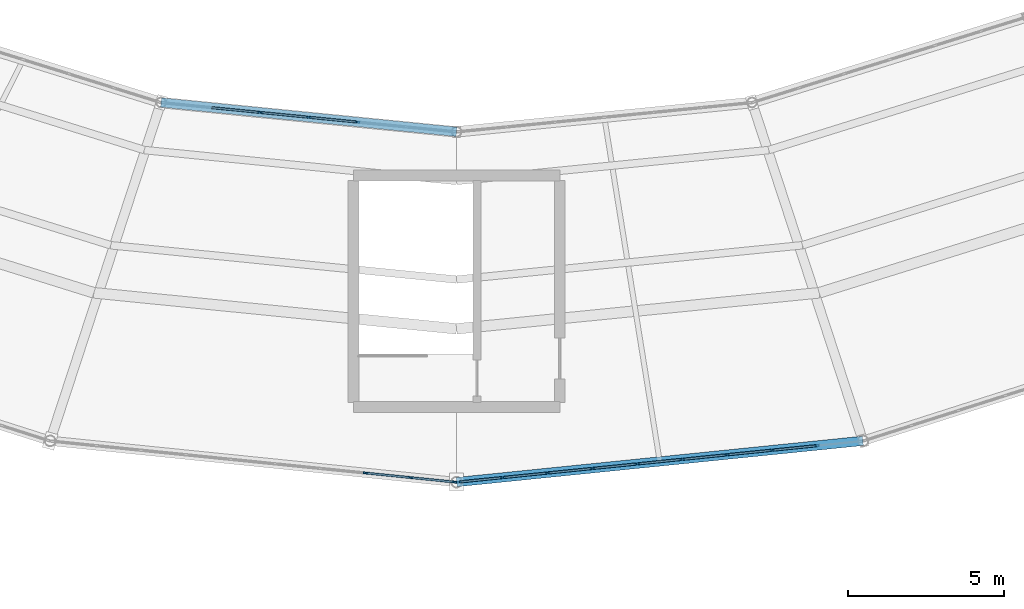
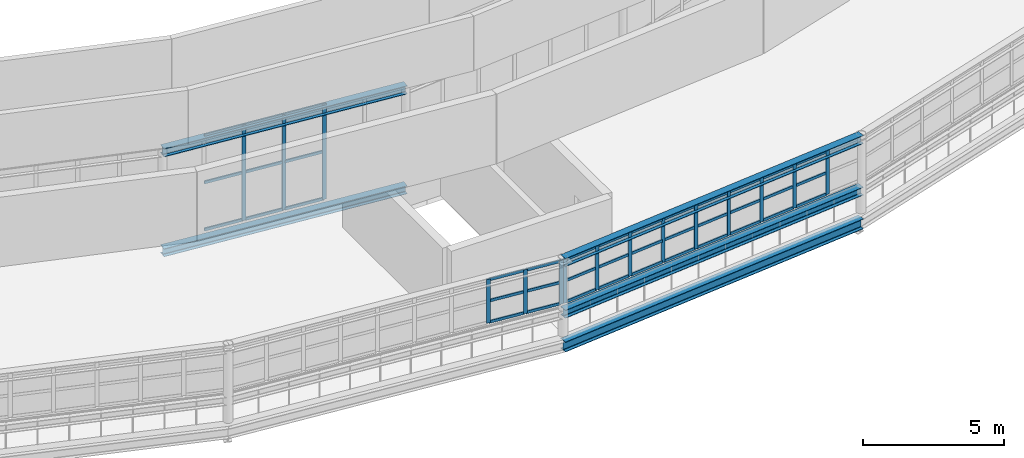
# One storey, part 35 of 123: 54 members, 5 beams, 3 elements without a shape of their own.
"""IFC4 building model written with IfcOpenShell, lengths in metres."""

import ifcopenshell
import ifcopenshell.guid

model = None  # the IFC model being written
_history = None  # IfcOwnerHistory: only IFC2X3 demands one
_inside = {}  # id of a spatial element -> (the spatial element, [elements in it])
_under = {}  # id of a project, library or spatial element -> (it, [spatial elements below it])
_declared = {}  # id of a project -> (the project, [libraries it declares])
_typed = {}  # id of a type object -> (the type object, [elements of that type])
_made_of = {}  # id of a material, layer set ... -> (it, [elements and type objects made of it])


def new_model(schema):
    """Start an empty IFC model of exactly this schema.

    Asked for "IFC4X3", IfcOpenShell would pick the latest addendum, in which some entities
    have other attributes; the version numbers below select the first issue.
    IFC2X3 requires an IfcOwnerHistory on every rooted entity: one is made here for all.
    """
    global model, _history
    if schema == "IFC4X3":
        model = ifcopenshell.file(schema_version=(4, 3, 0, 0))
    else:
        model = ifcopenshell.file(schema=schema)
    _inside.clear()
    _under.clear()
    _declared.clear()
    _typed.clear()
    _made_of.clear()
    _history = None
    if model.schema == "IFC2X3":
        org = make("IfcOrganization", Name="unknown")
        user = make(
            "IfcPersonAndOrganization",
            ThePerson=make("IfcPerson", FamilyName="unknown"),
            TheOrganization=org,
        )
        app = make(
            "IfcApplication",
            ApplicationDeveloper=org,
            Version="unknown",
            ApplicationFullName="unknown",
            ApplicationIdentifier="unknown",
        )
        _history = make(
            "IfcOwnerHistory",
            OwningUser=user,
            OwningApplication=app,
            ChangeAction="ADDED",
            CreationDate=0,
        )
    return model


def make(cls, **values):
    """One entity of the class cls with the attributes given. An attribute that is None is left unset."""
    return model.create_entity(
        cls, **{name: value for name, value in values.items() if value is not None}
    )


def rooted(cls, **values):
    """An entity with a GlobalId (a new one), such as an element, a storey or a relation."""
    return make(cls, GlobalId=ifcopenshell.guid.new(), OwnerHistory=_history, **values)


def si_unit(unit_type, name, prefix=None):
    """IfcSIUnit, for example si_unit("LENGTHUNIT", "METRE", prefix="MILLI")."""
    return make("IfcSIUnit", UnitType=unit_type, Prefix=prefix, Name=name)


def assignment(units):
    """IfcUnitAssignment: the units of a project."""
    return None if units is None else make("IfcUnitAssignment", Units=units)


def point(xyz):
    """IfcCartesianPoint."""
    return None if xyz is None else make("IfcCartesianPoint", Coordinates=xyz)


def direction(xyz):
    """IfcDirection."""
    return None if xyz is None else make("IfcDirection", DirectionRatios=xyz)


def frame(location, z_axis=None, x_axis=None):
    """IfcAxis2Placement3D, a coordinate frame: its origin and axes. An axis left out is left unset."""
    return make(
        "IfcAxis2Placement3D",
        Location=point(location),
        Axis=direction(z_axis),
        RefDirection=direction(x_axis),
    )


def frame_2d(location, x_axis=None):
    """IfcAxis2Placement2D, a coordinate frame in the plane: its origin and x axis."""
    return make(
        "IfcAxis2Placement2D", Location=point(location), RefDirection=direction(x_axis)
    )


def origin():
    """The frame at (0, 0, 0) with its axes left unset."""
    return frame((0.0, 0.0, 0.0))


def origin_2d():
    """The frame at (0, 0) in the plane with its x axis left unset."""
    return frame_2d((0.0, 0.0))


def place(relative_to, where):
    """IfcLocalPlacement: puts the frame where relative to a parent placement (None: the world)."""
    return make(
        "IfcLocalPlacement", PlacementRelTo=relative_to, RelativePlacement=where
    )


def context(
    kind, dimensions, precision=None, world=None, true_north=None, identifier=None
):
    """IfcGeometricRepresentationContext, for example the 3D "Model" context."""
    return make(
        "IfcGeometricRepresentationContext",
        ContextIdentifier=identifier,
        ContextType=kind,
        CoordinateSpaceDimension=dimensions,
        Precision=precision,
        WorldCoordinateSystem=world,
        TrueNorth=true_north,
    )


def subcontext(parent, identifier, kind, view, scale=None):
    """IfcGeometricRepresentationSubContext, for example "Body" below "Model"."""
    return make(
        "IfcGeometricRepresentationSubContext",
        ContextIdentifier=identifier,
        ContextType=kind,
        ParentContext=parent,
        TargetScale=scale,
        TargetView=view,
    )


def project(units=None, contexts=None):
    """IfcProject with its units and contexts."""
    return rooted(
        "IfcProject",
        Name="project",
        RepresentationContexts=contexts,
        UnitsInContext=assignment(units),
    )


def spatial(cls, under=None, at=None, **own):
    """A site, building, storey or space (cls), placed at a placement, below another one or the project."""
    s = rooted(cls, ObjectPlacement=at, **own)
    if under is not None:
        _under.setdefault(under.id(), (under, []))[1].append(s)
    return s


def profile(cls, at=None, kind="AREA", **sizes):
    """A parametric profile (cls). Its sizes go by their IFC names, for example OverallWidth=200.0."""
    return make(cls, ProfileType=kind, Position=at, **sizes)


def rectangle(**sizes):
    """IfcRectangleProfileDef."""
    return profile("IfcRectangleProfileDef", **sizes)


def i_section(**sizes):
    """IfcIShapeProfileDef."""
    return profile("IfcIShapeProfileDef", **sizes)


def extrude(swept, where, along, depth):
    """IfcExtrudedAreaSolid: the profile swept, set in the frame where, extruded along a direction by depth."""
    return make(
        "IfcExtrudedAreaSolid",
        SweptArea=swept,
        Position=where,
        ExtrudedDirection=direction(along),
        Depth=depth,
    )


def shape(context_of_items, identifier, shape_type, items):
    """IfcShapeRepresentation: the items that make up one representation, for example the "Body"."""
    return make(
        "IfcShapeRepresentation",
        ContextOfItems=context_of_items,
        RepresentationIdentifier=identifier,
        RepresentationType=shape_type,
        Items=items,
    )


def material(Name=None, Category=None):
    """IfcMaterial."""
    return make("IfcMaterial", Name=Name, Category=Category)


def material_profile(
    of_material, cross_section, Name=None, Category=None, Priority=None
):
    """IfcMaterialProfile: a cross section and its material."""
    return make(
        "IfcMaterialProfile",
        Name=Name,
        Material=of_material,
        Profile=cross_section,
        Priority=Priority,
        Category=Category,
    )


def profile_set(profiles, Name=None, composite=None):
    """IfcMaterialProfileSet."""
    return make(
        "IfcMaterialProfileSet",
        Name=Name,
        MaterialProfiles=profiles,
        CompositeProfile=composite,
    )


def made_of(thing, what):
    """Note that an element or type object is made of a material, layer set ...; save() writes the relation."""
    if what is not None:
        _made_of.setdefault(what.id(), (what, []))[1].append(thing)
    return thing


def type_object(cls, material=None, **own):
    """A type object (cls), such as IfcWallType, which elements share."""
    return made_of(rooted(cls, **own), material)


def element(
    cls,
    number,
    at=None,
    inside=None,
    cuts=None,
    type_object=None,
    material=None,
    context=None,
    identifier="Body",
    shape_type=None,
    held_by="IfcProductDefinitionShape",
    body=None,
    shapes=None,
    **own,
):
    """One element of the class cls, such as IfcWall. Its Tag is "e" and its number.

    at: its placement. inside: the storey or other place that contains it. cuts: it is an
    opening in that element (IfcRelVoidsElement). A single representation is given by context,
    identifier, shape_type and body (its items); several are given by shapes. held_by: the class
    of the entity that holds the representations. save() writes the other relations.
    """
    e = rooted(cls, Tag="e%d" % number, ObjectPlacement=at, **own)
    if body is not None:
        shapes = [shape(context, identifier, shape_type, body)]
    if shapes is not None:
        e.Representation = make(held_by, Representations=shapes)
    if inside is not None:
        _inside.setdefault(inside.id(), (inside, []))[1].append(e)
    if cuts is not None:
        rooted(
            "IfcRelVoidsElement", RelatingBuildingElement=cuts, RelatedOpeningElement=e
        )
    if type_object is not None:
        _typed.setdefault(type_object.id(), (type_object, []))[1].append(e)
    return made_of(e, material)


def aggregate(whole, parts):
    """IfcRelAggregates: a whole, such as a stair, and the parts it consists of."""
    return rooted("IfcRelAggregates", RelatingObject=whole, RelatedObjects=parts)


def save(model, path):
    """Write the relations noted so far, then the file.

    IfcRelAggregates (storeys below a building ...), IfcRelContainedInSpatialStructure (elements
    in a storey), IfcRelDefinesByType, IfcRelAssociatesMaterial and IfcRelDeclares: one each for
    every whole, place, type object, material and project.
    """
    for whole, parts in _under.values():
        aggregate(whole, parts)
    for where, things in _inside.values():
        rooted(
            "IfcRelContainedInSpatialStructure",
            RelatedElements=things,
            RelatingStructure=where,
        )
    for kind, things in _typed.values():
        rooted("IfcRelDefinesByType", RelatedObjects=things, RelatingType=kind)
    for what, things in _made_of.values():
        rooted("IfcRelAssociatesMaterial", RelatedObjects=things, RelatingMaterial=what)
    for by, libraries in _declared.values():
        rooted("IfcRelDeclares", RelatingContext=by, RelatedDefinitions=libraries)
    model.write(path)


model = new_model("IFC4")

# Units and contexts
model_context = context("Model", 3, precision=1e-05, world=origin(), true_north=direction((0.0, 1.0)))
body_context = subcontext(model_context, "Body", "Model", "MODEL_VIEW")
ifc_project = project(units=[si_unit("LENGTHUNIT", "METRE"), si_unit("AREAUNIT", "SQUARE_METRE"), si_unit("VOLUMEUNIT", "CUBIC_METRE"), si_unit("PLANEANGLEUNIT", "RADIAN"), si_unit("MASSUNIT", "GRAM", prefix="KILO")], contexts=[model_context])

# Site, building, storey
site_placement = place(None, origin())
site = spatial("IfcSite", under=ifc_project, at=site_placement, CompositionType="ELEMENT")
building_placement = place(site_placement, origin())
building = spatial("IfcBuilding", under=site, at=building_placement, Name="Kildeholm Park Wholesale Market", CompositionType="ELEMENT")
storey_placement = place(building_placement, frame((0.0, 0.0, 9.60009765625)))
storey = spatial("IfcBuildingStorey", under=building, at=storey_placement, Name="L02", CompositionType="ELEMENT", Elevation=9.60009765625)

# Beams
ifc_material_1 = material(Name="Steel S355", Category="steel")
ifc_material_profile_1 = material_profile(ifc_material_1, i_section(OverallWidth=0.300048828125, OverallDepth=0.35009765625, WebThickness=0.010009765625, FlangeThickness=0.017578125, FilletRadius=0.027099609375, at=origin_2d()), Name="HEA 360")
ifc_profile_set_1 = profile_set([ifc_material_profile_1], Name="Steel S355")
beam_type_1 = type_object("IfcBeamType", Name="Beam B-R01 HEA 360", PredefinedType="BEAM", material=ifc_profile_set_1)
beam_1_placement = place(storey_placement, frame((89.552978515625, 62.93701171875, -0.42919921875), z_axis=(0.995117073258, -0.098701623651, 0.0), x_axis=(0.098701623651, 0.995117073258, 0.0)))
element("IfcBeam", 1, at=beam_1_placement, inside=storey, type_object=beam_type_1, Name="Beam BM-V1-L02-CI-17 BM-0161", PredefinedType="BEAM", context=body_context, shape_type="SweptSolid", body=[
    extrude(i_section(OverallWidth=0.300048828125, OverallDepth=0.35009765625, WebThickness=0.010009765625, FlangeThickness=0.017578125, FilletRadius=0.027099609375, at=origin_2d()), origin(), (0.0, 0.0, 1.0), 9.493408203125),
])
beam_2_placement = place(storey_placement, frame((99.0, 50.800048828125, 0.94775390625), z_axis=(0.994887827563, 0.100986189979, 0.0), x_axis=(-0.100986189979, 0.994887827563, 0.0)))
element("IfcBeam", 2, at=beam_2_placement, inside=storey, type_object=beam_type_1, Name="Beam BM-V1-S1IN-18 BM-0329", PredefinedType="BEAM", context=body_context, shape_type="SweptSolid", body=[
    extrude(i_section(OverallWidth=0.300048828125, OverallDepth=0.35009765625, WebThickness=0.010009765625, FlangeThickness=0.017578125, FilletRadius=0.027099609375, at=origin_2d()), origin(), (0.0, 0.0, 1.0), 13.0595703125),
])
ifc_material_profile_2 = material_profile(ifc_material_1, i_section(OverallWidth=0.300048828125, OverallDepth=0.43994140625, WebThickness=0.011474609375, FlangeThickness=0.02099609375, FilletRadius=0.027099609375, at=origin_2d()), Name="HEA 450")
ifc_profile_set_2 = profile_set([ifc_material_profile_2], Name="Steel S355")
beam_type_2 = type_object("IfcBeamType", Name="Beam B-R02 HEA 450", PredefinedType="BEAM", material=ifc_profile_set_2)
beam_3_placement = place(storey_placement, frame((99.0, 50.800048828125, -0.47412109375), z_axis=(0.994887827563, 0.100986189979, 0.0), x_axis=(-0.100986189979, 0.994887827563, 0.0)))
element("IfcBeam", 3, at=beam_3_placement, inside=storey, type_object=beam_type_2, Name="Beam BM-V1-L02-CM-18 BM-0169", PredefinedType="BEAM", context=body_context, shape_type="SweptSolid", body=[
    extrude(i_section(OverallWidth=0.300048828125, OverallDepth=0.43994140625, WebThickness=0.011474609375, FlangeThickness=0.02099609375, FilletRadius=0.027099609375, at=origin_2d()), origin(), (0.0, 0.0, 1.0), 13.0595703125),
])
ifc_material_profile_3 = material_profile(ifc_material_1, i_section(OverallWidth=0.300048828125, OverallDepth=0.360107421875, WebThickness=0.012451171875, FlangeThickness=0.0224609375, FilletRadius=0.027099609375, at=origin_2d()), Name="HEB 360")
ifc_profile_set_3 = profile_set([ifc_material_profile_3], Name="Steel S355")
beam_type_3 = type_object("IfcBeamType", Name="Beam B-R03 HEB 360", PredefinedType="BEAM", material=ifc_profile_set_3)
beam_4_placement = place(storey_placement, frame((89.552978515625, 62.93701171875, 3.909423828125), z_axis=(0.995117073258, -0.098701623651, 0.0), x_axis=(0.098701623651, 0.995117073258, 0.0)))
element("IfcBeam", 4, at=beam_4_placement, inside=storey, type_object=beam_type_3, Name="Beam BM-V1-RF-IN-17 BM-0325", PredefinedType="BEAM", context=body_context, shape_type="SweptSolid", body=[
    extrude(i_section(OverallWidth=0.300048828125, OverallDepth=0.360107421875, WebThickness=0.012451171875, FlangeThickness=0.0224609375, FilletRadius=0.027099609375, at=origin_2d()), origin(), (0.0, 0.0, 1.0), 9.493408203125),
])
beam_5_placement = place(storey_placement, frame((99.0, 50.800048828125, 3.189697265625), z_axis=(0.994887827563, 0.100986189979, 0.0), x_axis=(-0.100986189979, 0.994887827563, 0.0)))
element("IfcBeam", 5, at=beam_5_placement, inside=storey, type_object=beam_type_3, Name="Beam BM-V1-RF-M1-18 BM-0330", PredefinedType="BEAM", context=body_context, shape_type="SweptSolid", body=[
    extrude(i_section(OverallWidth=0.300048828125, OverallDepth=0.360107421875, WebThickness=0.012451171875, FlangeThickness=0.0224609375, FilletRadius=0.027099609375, at=origin_2d()), origin(), (0.0, 0.0, 1.0), 13.0595703125),
])

# Curtain wall, members
ifc_material_2 = material(Name="Anodised aluminium and low-E double-glazed glass", Category="aluminium")
curtain_wall_type = type_object("IfcCurtainWallType", Name="Clerestory daylight stick curtain wall CW-02", PredefinedType="NOTDEFINED", material=ifc_material_2)
curtain_wall_1_placement = place(storey_placement, origin())
curtain_wall_1 = element("IfcCurtainWall", 6, at=curtain_wall_1_placement, inside=storey, type_object=curtain_wall_type, Name="Curtain wall CW-V1-CL-17 CW-0085", PredefinedType="NOTDEFINED")
ifc_material_3 = material(Name="Anodised aluminium", Category="aluminium")
ifc_material_profile_4 = material_profile(ifc_material_3, rectangle(XDim=0.06005859375, YDim=0.14990234375, at=origin_2d()), Name="CWM 60x150")
ifc_profile_set_4 = profile_set([ifc_material_profile_4], Name="Anodised aluminium")
member_type_1 = type_object("IfcMemberType", Name="Curtain-wall mullion CWM-3 CWM 60x150", PredefinedType="MULLION", material=ifc_profile_set_4)
member_1_placement = place(storey_placement, frame((96.09033203125, 51.09130859375, 1.349853515625), z_axis=(0.0, 0.0, 1.0), x_axis=(0.100998628351, 0.994886564926, 0.0)))
member_1 = element("IfcMember", 7, at=member_1_placement, type_object=member_type_1, Name="CW-02 mullion 8 MEM-2717", PredefinedType="MULLION", context=body_context, shape_type="SweptSolid", body=[
    extrude(rectangle(XDim=0.06005859375, YDim=0.14990234375, at=origin_2d()), origin(), (0.0, 0.0, 1.0), 1.900146484375),
])
member_2_placement = place(storey_placement, frame((97.525146484375, 50.945556640625, 1.349853515625), z_axis=(0.0, 0.0, 1.0), x_axis=(0.100998628351, 0.994886564926, 0.0)))
member_2 = element("IfcMember", 8, at=member_2_placement, type_object=member_type_1, Name="CW-02 mullion 9 MEM-2718", PredefinedType="MULLION", context=body_context, shape_type="SweptSolid", body=[
    extrude(rectangle(XDim=0.06005859375, YDim=0.14990234375, at=origin_2d()), origin(), (0.0, 0.0, 1.0), 1.900146484375),
])
member_3_placement = place(storey_placement, frame((98.93017578125, 50.802978515625, 1.349853515625), z_axis=(0.0, 0.0, 1.0), x_axis=(0.100998628351, 0.994886564926, 0.0)))
member_3 = element("IfcMember", 9, at=member_3_placement, type_object=member_type_1, Name="CW-02 mullion 10 MEM-2719", PredefinedType="MULLION", context=body_context, shape_type="SweptSolid", body=[
    extrude(rectangle(XDim=0.06005859375, YDim=0.14990234375, at=origin_2d()), origin(), (0.0, 0.0, 1.0), 1.900146484375),
])

curtain_wall_2_placement = place(storey_placement, origin())
curtain_wall_2 = element("IfcCurtainWall", 10, at=curtain_wall_2_placement, inside=storey, type_object=curtain_wall_type, Name="Curtain wall CW-V1-IN2-17 CW-0088", PredefinedType="NOTDEFINED")
member_4_placement = place(storey_placement, frame((92.714599609375, 62.619384765625, 0.0), z_axis=(0.0, 0.0, 1.0), x_axis=(0.098683331174, 0.995118887444, 0.0)))
member_4 = element("IfcMember", 11, at=member_4_placement, type_object=member_type_1, Name="CW-02 mullion 3 MEM-2799", PredefinedType="MULLION", context=body_context, shape_type="SweptSolid", body=[
    extrude(rectangle(XDim=0.06005859375, YDim=0.14990234375, at=origin_2d()), origin(), (0.0, 0.0, 1.0), 4.14990234375),
])
member_5_placement = place(storey_placement, frame((94.27587890625, 62.464599609375, 0.0), z_axis=(0.0, 0.0, 1.0), x_axis=(0.098683331174, 0.995118887444, 0.0)))
member_5 = element("IfcMember", 12, at=member_5_placement, type_object=member_type_1, Name="CW-02 mullion 4 MEM-2800", PredefinedType="MULLION", context=body_context, shape_type="SweptSolid", body=[
    extrude(rectangle(XDim=0.06005859375, YDim=0.14990234375, at=origin_2d()), origin(), (0.0, 0.0, 1.0), 4.14990234375),
])
member_6_placement = place(storey_placement, frame((95.83740234375, 62.3095703125, 0.0), z_axis=(0.0, 0.0, 1.0), x_axis=(0.098683331174, 0.995118887444, 0.0)))
member_6 = element("IfcMember", 13, at=member_6_placement, type_object=member_type_1, Name="CW-02 mullion 5 MEM-2801", PredefinedType="MULLION", context=body_context, shape_type="SweptSolid", body=[
    extrude(rectangle(XDim=0.06005859375, YDim=0.14990234375, at=origin_2d()), origin(), (0.0, 0.0, 1.0), 4.14990234375),
])

curtain_wall_3_placement = place(storey_placement, origin())
curtain_wall_3 = element("IfcCurtainWall", 14, at=curtain_wall_3_placement, inside=storey, type_object=curtain_wall_type, Name="Curtain wall CW-V1-CL-18 CW-0090", PredefinedType="NOTDEFINED")
member_7_placement = place(storey_placement, frame((99.06982421875, 50.802978515625, 1.349853515625), z_axis=(0.0, 0.0, 1.0), x_axis=(-0.100998628351, 0.994886564926, 0.0)))
member_7 = element("IfcMember", 15, at=member_7_placement, type_object=member_type_1, Name="CW-02 mullion 1 MEM-2863", PredefinedType="MULLION", context=body_context, shape_type="SweptSolid", body=[
    extrude(rectangle(XDim=0.06005859375, YDim=0.14990234375, at=origin_2d()), origin(), (0.0, 0.0, 1.0), 1.900146484375),
])
member_8_placement = place(storey_placement, frame((100.474853515625, 50.945556640625, 1.349853515625), z_axis=(0.0, 0.0, 1.0), x_axis=(-0.100998628351, 0.994886564926, 0.0)))
member_8 = element("IfcMember", 16, at=member_8_placement, type_object=member_type_1, Name="CW-02 mullion 2 MEM-2864", PredefinedType="MULLION", context=body_context, shape_type="SweptSolid", body=[
    extrude(rectangle(XDim=0.06005859375, YDim=0.14990234375, at=origin_2d()), origin(), (0.0, 0.0, 1.0), 1.900146484375),
])
member_9_placement = place(storey_placement, frame((101.90966796875, 51.09130859375, 1.349853515625), z_axis=(0.0, 0.0, 1.0), x_axis=(-0.100998628351, 0.994886564926, 0.0)))
member_9 = element("IfcMember", 17, at=member_9_placement, type_object=member_type_1, Name="CW-02 mullion 3 MEM-2865", PredefinedType="MULLION", context=body_context, shape_type="SweptSolid", body=[
    extrude(rectangle(XDim=0.06005859375, YDim=0.14990234375, at=origin_2d()), origin(), (0.0, 0.0, 1.0), 1.900146484375),
])
member_10_placement = place(storey_placement, frame((103.3447265625, 51.237060546875, 1.349853515625), z_axis=(0.0, 0.0, 1.0), x_axis=(-0.100998628351, 0.994886564926, 0.0)))
member_10 = element("IfcMember", 18, at=member_10_placement, type_object=member_type_1, Name="CW-02 mullion 4 MEM-2866", PredefinedType="MULLION", context=body_context, shape_type="SweptSolid", body=[
    extrude(rectangle(XDim=0.06005859375, YDim=0.14990234375, at=origin_2d()), origin(), (0.0, 0.0, 1.0), 1.900146484375),
])
member_11_placement = place(storey_placement, frame((104.779541015625, 51.382568359375, 1.349853515625), z_axis=(0.0, 0.0, 1.0), x_axis=(-0.100998628351, 0.994886564926, 0.0)))
member_11 = element("IfcMember", 19, at=member_11_placement, type_object=member_type_1, Name="CW-02 mullion 5 MEM-2867", PredefinedType="MULLION", context=body_context, shape_type="SweptSolid", body=[
    extrude(rectangle(XDim=0.06005859375, YDim=0.14990234375, at=origin_2d()), origin(), (0.0, 0.0, 1.0), 1.900146484375),
])
member_12_placement = place(storey_placement, frame((106.21435546875, 51.5283203125, 1.349853515625), z_axis=(0.0, 0.0, 1.0), x_axis=(-0.100998628351, 0.994886564926, 0.0)))
member_12 = element("IfcMember", 20, at=member_12_placement, type_object=member_type_1, Name="CW-02 mullion 6 MEM-2868", PredefinedType="MULLION", context=body_context, shape_type="SweptSolid", body=[
    extrude(rectangle(XDim=0.06005859375, YDim=0.14990234375, at=origin_2d()), origin(), (0.0, 0.0, 1.0), 1.900146484375),
])
member_13_placement = place(storey_placement, frame((107.6494140625, 51.674072265625, 1.349853515625), z_axis=(0.0, 0.0, 1.0), x_axis=(-0.100998628351, 0.994886564926, 0.0)))
member_13 = element("IfcMember", 21, at=member_13_placement, type_object=member_type_1, Name="CW-02 mullion 7 MEM-2869", PredefinedType="MULLION", context=body_context, shape_type="SweptSolid", body=[
    extrude(rectangle(XDim=0.06005859375, YDim=0.14990234375, at=origin_2d()), origin(), (0.0, 0.0, 1.0), 1.900146484375),
])
member_14_placement = place(storey_placement, frame((109.084228515625, 51.819580078125, 1.349853515625), z_axis=(0.0, 0.0, 1.0), x_axis=(-0.100998628351, 0.994886564926, 0.0)))
member_14 = element("IfcMember", 22, at=member_14_placement, type_object=member_type_1, Name="CW-02 mullion 8 MEM-2870", PredefinedType="MULLION", context=body_context, shape_type="SweptSolid", body=[
    extrude(rectangle(XDim=0.06005859375, YDim=0.14990234375, at=origin_2d()), origin(), (0.0, 0.0, 1.0), 1.900146484375),
])
member_15_placement = place(storey_placement, frame((110.51904296875, 51.96533203125, 1.349853515625), z_axis=(0.0, 0.0, 1.0), x_axis=(-0.100998628351, 0.994886564926, 0.0)))
member_15 = element("IfcMember", 23, at=member_15_placement, type_object=member_type_1, Name="CW-02 mullion 9 MEM-2871", PredefinedType="MULLION", context=body_context, shape_type="SweptSolid", body=[
    extrude(rectangle(XDim=0.06005859375, YDim=0.14990234375, at=origin_2d()), origin(), (0.0, 0.0, 1.0), 1.900146484375),
])

# Member
ifc_material_profile_5 = material_profile(ifc_material_3, rectangle(XDim=0.06005859375, YDim=0.1201171875, at=origin_2d()), Name="CWT 60x120")
ifc_profile_set_5 = profile_set([ifc_material_profile_5], Name="Anodised aluminium")
member_type_2 = type_object("IfcMemberType", Name="Curtain-wall transom CWT-3 CWT 60x120", PredefinedType="USERDEFINED", material=ifc_profile_set_5)
member_16_placement = place(storey_placement, frame((96.1201171875, 51.08837890625, 1.3798828125), z_axis=(0.994883891691, -0.10102495758, 0.0), x_axis=(0.10102495758, 0.994883891691, 0.0)))
member_16 = element("IfcMember", 24, at=member_16_placement, type_object=member_type_2, Name="CW-02 transom 8.1 MEM-2741", ObjectType="TRANSOM", PredefinedType="USERDEFINED", context=body_context, shape_type="SweptSolid", body=[
    extrude(rectangle(XDim=0.06005859375, YDim=0.1201171875, at=origin_2d()), origin(), (0.0, 0.0, 1.0), 1.38232421875),
])

member_17_placement = place(storey_placement, frame((96.1201171875, 51.08837890625, 2.2998046875), z_axis=(0.994883891691, -0.10102495758, 0.0), x_axis=(0.10102495758, 0.994883891691, 0.0)))
member_17 = element("IfcMember", 25, at=member_17_placement, type_object=member_type_2, Name="CW-02 transom 8.2 MEM-2742", ObjectType="TRANSOM", PredefinedType="USERDEFINED", context=body_context, shape_type="SweptSolid", body=[
    extrude(rectangle(XDim=0.06005859375, YDim=0.1201171875, at=origin_2d()), origin(), (0.0, 0.0, 1.0), 1.38232421875),
])

member_18_placement = place(storey_placement, frame((96.1201171875, 51.08837890625, 3.219970703125), z_axis=(0.994883891691, -0.10102495758, 0.0), x_axis=(0.10102495758, 0.994883891691, 0.0)))
member_18 = element("IfcMember", 26, at=member_18_placement, type_object=member_type_2, Name="CW-02 transom 8.3 MEM-2743", ObjectType="TRANSOM", PredefinedType="USERDEFINED", context=body_context, shape_type="SweptSolid", body=[
    extrude(rectangle(XDim=0.06005859375, YDim=0.1201171875, at=origin_2d()), origin(), (0.0, 0.0, 1.0), 1.38232421875),
])

member_19_placement = place(storey_placement, frame((97.554931640625, 50.942626953125, 1.3798828125), z_axis=(0.994894982479, -0.100915676866, 0.0), x_axis=(0.100915676866, 0.994894982479, 0.0)))
member_19 = element("IfcMember", 27, at=member_19_placement, type_object=member_type_2, Name="CW-02 transom 9.1 MEM-2744", ObjectType="TRANSOM", PredefinedType="USERDEFINED", context=body_context, shape_type="SweptSolid", body=[
    extrude(rectangle(XDim=0.06005859375, YDim=0.1201171875, at=origin_2d()), origin(), (0.0, 0.0, 1.0), 1.352294921875),
])

member_20_placement = place(storey_placement, frame((97.554931640625, 50.942626953125, 2.2998046875), z_axis=(0.994894982479, -0.100915676866, 0.0), x_axis=(0.100915676866, 0.994894982479, 0.0)))
member_20 = element("IfcMember", 28, at=member_20_placement, type_object=member_type_2, Name="CW-02 transom 9.2 MEM-2745", ObjectType="TRANSOM", PredefinedType="USERDEFINED", context=body_context, shape_type="SweptSolid", body=[
    extrude(rectangle(XDim=0.06005859375, YDim=0.1201171875, at=origin_2d()), origin(), (0.0, 0.0, 1.0), 1.352294921875),
])

member_21_placement = place(storey_placement, frame((97.554931640625, 50.942626953125, 3.219970703125), z_axis=(0.994894982479, -0.100915676866, 0.0), x_axis=(0.100915676866, 0.994894982479, 0.0)))
member_21 = element("IfcMember", 29, at=member_21_placement, type_object=member_type_2, Name="CW-02 transom 9.3 MEM-2746", ObjectType="TRANSOM", PredefinedType="USERDEFINED", context=body_context, shape_type="SweptSolid", body=[
    extrude(rectangle(XDim=0.06005859375, YDim=0.1201171875, at=origin_2d()), origin(), (0.0, 0.0, 1.0), 1.352294921875),
])

aggregate(curtain_wall_1, [member_1, member_2, member_3, member_16, member_17, member_18, member_19, member_20, member_21])

member_22_placement = place(storey_placement, frame((91.18310546875, 62.771240234375, 0.02978515625), z_axis=(0.995118546562, -0.098686768558, 0.0), x_axis=(0.098686768558, 0.995118546562, 0.0)))
member_22 = element("IfcMember", 30, at=member_22_placement, type_object=member_type_2, Name="CW-02 transom 2.1 MEM-2807", ObjectType="TRANSOM", PredefinedType="USERDEFINED", context=body_context, shape_type="SweptSolid", body=[
    extrude(rectangle(XDim=0.06005859375, YDim=0.1201171875, at=origin_2d()), origin(), (0.0, 0.0, 1.0), 1.509033203125),
])

member_23_placement = place(storey_placement, frame((91.18310546875, 62.771240234375, 2.074951171875), z_axis=(0.995118546562, -0.098686768558, 0.0), x_axis=(0.098686768558, 0.995118546562, 0.0)))
member_23 = element("IfcMember", 31, at=member_23_placement, type_object=member_type_2, Name="CW-02 transom 2.2 MEM-2808", ObjectType="TRANSOM", PredefinedType="USERDEFINED", context=body_context, shape_type="SweptSolid", body=[
    extrude(rectangle(XDim=0.06005859375, YDim=0.1201171875, at=origin_2d()), origin(), (0.0, 0.0, 1.0), 1.509033203125),
])

member_24_placement = place(storey_placement, frame((91.18310546875, 62.771240234375, 4.119873046875), z_axis=(0.995118546562, -0.098686768558, 0.0), x_axis=(0.098686768558, 0.995118546562, 0.0)))
member_24 = element("IfcMember", 32, at=member_24_placement, type_object=member_type_2, Name="CW-02 transom 2.3 MEM-2809", ObjectType="TRANSOM", PredefinedType="USERDEFINED", context=body_context, shape_type="SweptSolid", body=[
    extrude(rectangle(XDim=0.06005859375, YDim=0.1201171875, at=origin_2d()), origin(), (0.0, 0.0, 1.0), 1.509033203125),
])

member_25_placement = place(storey_placement, frame((92.74462890625, 62.616455078125, 0.02978515625), z_axis=(0.995116970578, -0.09870265887, 0.0), x_axis=(0.09870265887, 0.995116970578, 0.0)))
member_25 = element("IfcMember", 33, at=member_25_placement, type_object=member_type_2, Name="CW-02 transom 3.1 MEM-2810", ObjectType="TRANSOM", PredefinedType="USERDEFINED", context=body_context, shape_type="SweptSolid", body=[
    extrude(rectangle(XDim=0.06005859375, YDim=0.1201171875, at=origin_2d()), origin(), (0.0, 0.0, 1.0), 1.5087890625),
])

member_26_placement = place(storey_placement, frame((92.74462890625, 62.616455078125, 2.074951171875), z_axis=(0.995116970578, -0.09870265887, 0.0), x_axis=(0.09870265887, 0.995116970578, 0.0)))
member_26 = element("IfcMember", 34, at=member_26_placement, type_object=member_type_2, Name="CW-02 transom 3.2 MEM-2811", ObjectType="TRANSOM", PredefinedType="USERDEFINED", context=body_context, shape_type="SweptSolid", body=[
    extrude(rectangle(XDim=0.06005859375, YDim=0.1201171875, at=origin_2d()), origin(), (0.0, 0.0, 1.0), 1.5087890625),
])

member_27_placement = place(storey_placement, frame((92.74462890625, 62.616455078125, 4.119873046875), z_axis=(0.995116970578, -0.09870265887, 0.0), x_axis=(0.09870265887, 0.995116970578, 0.0)))
member_27 = element("IfcMember", 35, at=member_27_placement, type_object=member_type_2, Name="CW-02 transom 3.3 MEM-2812", ObjectType="TRANSOM", PredefinedType="USERDEFINED", context=body_context, shape_type="SweptSolid", body=[
    extrude(rectangle(XDim=0.06005859375, YDim=0.1201171875, at=origin_2d()), origin(), (0.0, 0.0, 1.0), 1.5087890625),
])

member_28_placement = place(storey_placement, frame((94.305908203125, 62.46142578125, 0.02978515625), z_axis=(0.995132850789, -0.098542423761, 0.0), x_axis=(0.098542423761, 0.995132850789, 0.0)))
member_28 = element("IfcMember", 36, at=member_28_placement, type_object=member_type_2, Name="CW-02 transom 4.1 MEM-2813", ObjectType="TRANSOM", PredefinedType="USERDEFINED", context=body_context, shape_type="SweptSolid", body=[
    extrude(rectangle(XDim=0.06005859375, YDim=0.1201171875, at=origin_2d()), origin(), (0.0, 0.0, 1.0), 1.5087890625),
])

member_29_placement = place(storey_placement, frame((94.305908203125, 62.46142578125, 2.074951171875), z_axis=(0.995132850789, -0.098542423761, 0.0), x_axis=(0.098542423761, 0.995132850789, 0.0)))
member_29 = element("IfcMember", 37, at=member_29_placement, type_object=member_type_2, Name="CW-02 transom 4.2 MEM-2814", ObjectType="TRANSOM", PredefinedType="USERDEFINED", context=body_context, shape_type="SweptSolid", body=[
    extrude(rectangle(XDim=0.06005859375, YDim=0.1201171875, at=origin_2d()), origin(), (0.0, 0.0, 1.0), 1.5087890625),
])

member_30_placement = place(storey_placement, frame((94.305908203125, 62.46142578125, 4.119873046875), z_axis=(0.995132850789, -0.098542423761, 0.0), x_axis=(0.098542423761, 0.995132850789, 0.0)))
member_30 = element("IfcMember", 38, at=member_30_placement, type_object=member_type_2, Name="CW-02 transom 4.3 MEM-2815", ObjectType="TRANSOM", PredefinedType="USERDEFINED", context=body_context, shape_type="SweptSolid", body=[
    extrude(rectangle(XDim=0.06005859375, YDim=0.1201171875, at=origin_2d()), origin(), (0.0, 0.0, 1.0), 1.5087890625),
])

aggregate(curtain_wall_2, [member_4, member_5, member_6, member_22, member_23, member_24, member_25, member_26, member_27, member_28, member_29, member_30])

member_31_placement = place(storey_placement, frame((99.099609375, 50.80615234375, 1.3798828125), z_axis=(0.994894982479, 0.100915676866, 0.0), x_axis=(-0.100915676866, 0.994894982479, 0.0)))
member_31 = element("IfcMember", 39, at=member_31_placement, type_object=member_type_2, Name="CW-02 transom 1.1 MEM-2873", ObjectType="TRANSOM", PredefinedType="USERDEFINED", context=body_context, shape_type="SweptSolid", body=[
    extrude(rectangle(XDim=0.06005859375, YDim=0.1201171875, at=origin_2d()), origin(), (0.0, 0.0, 1.0), 1.352294921875),
])

member_32_placement = place(storey_placement, frame((99.099609375, 50.80615234375, 2.2998046875), z_axis=(0.994894982479, 0.100915676866, 0.0), x_axis=(-0.100915676866, 0.994894982479, 0.0)))
member_32 = element("IfcMember", 40, at=member_32_placement, type_object=member_type_2, Name="CW-02 transom 1.2 MEM-2874", ObjectType="TRANSOM", PredefinedType="USERDEFINED", context=body_context, shape_type="SweptSolid", body=[
    extrude(rectangle(XDim=0.06005859375, YDim=0.1201171875, at=origin_2d()), origin(), (0.0, 0.0, 1.0), 1.352294921875),
])

member_33_placement = place(storey_placement, frame((99.099609375, 50.80615234375, 3.219970703125), z_axis=(0.994894982479, 0.100915676866, 0.0), x_axis=(-0.100915676866, 0.994894982479, 0.0)))
member_33 = element("IfcMember", 41, at=member_33_placement, type_object=member_type_2, Name="CW-02 transom 1.3 MEM-2875", ObjectType="TRANSOM", PredefinedType="USERDEFINED", context=body_context, shape_type="SweptSolid", body=[
    extrude(rectangle(XDim=0.06005859375, YDim=0.1201171875, at=origin_2d()), origin(), (0.0, 0.0, 1.0), 1.352294921875),
])

member_34_placement = place(storey_placement, frame((100.504638671875, 50.94873046875, 1.3798828125), z_axis=(0.994883891691, 0.10102495758, 0.0), x_axis=(-0.10102495758, 0.994883891691, 0.0)))
member_34 = element("IfcMember", 42, at=member_34_placement, type_object=member_type_2, Name="CW-02 transom 2.1 MEM-2876", ObjectType="TRANSOM", PredefinedType="USERDEFINED", context=body_context, shape_type="SweptSolid", body=[
    extrude(rectangle(XDim=0.06005859375, YDim=0.1201171875, at=origin_2d()), origin(), (0.0, 0.0, 1.0), 1.38232421875),
])

member_35_placement = place(storey_placement, frame((100.504638671875, 50.94873046875, 2.2998046875), z_axis=(0.994883891691, 0.10102495758, 0.0), x_axis=(-0.10102495758, 0.994883891691, 0.0)))
member_35 = element("IfcMember", 43, at=member_35_placement, type_object=member_type_2, Name="CW-02 transom 2.2 MEM-2877", ObjectType="TRANSOM", PredefinedType="USERDEFINED", context=body_context, shape_type="SweptSolid", body=[
    extrude(rectangle(XDim=0.06005859375, YDim=0.1201171875, at=origin_2d()), origin(), (0.0, 0.0, 1.0), 1.38232421875),
])

member_36_placement = place(storey_placement, frame((100.504638671875, 50.94873046875, 3.219970703125), z_axis=(0.994883891691, 0.10102495758, 0.0), x_axis=(-0.10102495758, 0.994883891691, 0.0)))
member_36 = element("IfcMember", 44, at=member_36_placement, type_object=member_type_2, Name="CW-02 transom 2.3 MEM-2878", ObjectType="TRANSOM", PredefinedType="USERDEFINED", context=body_context, shape_type="SweptSolid", body=[
    extrude(rectangle(XDim=0.06005859375, YDim=0.1201171875, at=origin_2d()), origin(), (0.0, 0.0, 1.0), 1.38232421875),
])

member_37_placement = place(storey_placement, frame((101.939697265625, 51.094482421875, 1.3798828125), z_axis=(0.994901628094, 0.100850138406, 0.0), x_axis=(-0.100850138406, 0.994901628094, 0.0)))
member_37 = element("IfcMember", 45, at=member_37_placement, type_object=member_type_2, Name="CW-02 transom 3.1 MEM-2879", ObjectType="TRANSOM", PredefinedType="USERDEFINED", context=body_context, shape_type="SweptSolid", body=[
    extrude(rectangle(XDim=0.06005859375, YDim=0.1201171875, at=origin_2d()), origin(), (0.0, 0.0, 1.0), 1.38232421875),
])

member_38_placement = place(storey_placement, frame((101.939697265625, 51.094482421875, 2.2998046875), z_axis=(0.994901628094, 0.100850138406, 0.0), x_axis=(-0.100850138406, 0.994901628094, 0.0)))
member_38 = element("IfcMember", 46, at=member_38_placement, type_object=member_type_2, Name="CW-02 transom 3.2 MEM-2880", ObjectType="TRANSOM", PredefinedType="USERDEFINED", context=body_context, shape_type="SweptSolid", body=[
    extrude(rectangle(XDim=0.06005859375, YDim=0.1201171875, at=origin_2d()), origin(), (0.0, 0.0, 1.0), 1.38232421875),
])

member_39_placement = place(storey_placement, frame((101.939697265625, 51.094482421875, 3.219970703125), z_axis=(0.994901628094, 0.100850138406, 0.0), x_axis=(-0.100850138406, 0.994901628094, 0.0)))
member_39 = element("IfcMember", 47, at=member_39_placement, type_object=member_type_2, Name="CW-02 transom 3.3 MEM-2881", ObjectType="TRANSOM", PredefinedType="USERDEFINED", context=body_context, shape_type="SweptSolid", body=[
    extrude(rectangle(XDim=0.06005859375, YDim=0.1201171875, at=origin_2d()), origin(), (0.0, 0.0, 1.0), 1.38232421875),
])

member_40_placement = place(storey_placement, frame((103.37451171875, 51.239990234375, 1.3798828125), z_axis=(0.994883891691, 0.10102495758, 0.0), x_axis=(-0.10102495758, 0.994883891691, 0.0)))
member_40 = element("IfcMember", 48, at=member_40_placement, type_object=member_type_2, Name="CW-02 transom 4.1 MEM-2882", ObjectType="TRANSOM", PredefinedType="USERDEFINED", context=body_context, shape_type="SweptSolid", body=[
    extrude(rectangle(XDim=0.06005859375, YDim=0.1201171875, at=origin_2d()), origin(), (0.0, 0.0, 1.0), 1.38232421875),
])

member_41_placement = place(storey_placement, frame((103.37451171875, 51.239990234375, 2.2998046875), z_axis=(0.994883891691, 0.10102495758, 0.0), x_axis=(-0.10102495758, 0.994883891691, 0.0)))
member_41 = element("IfcMember", 49, at=member_41_placement, type_object=member_type_2, Name="CW-02 transom 4.2 MEM-2883", ObjectType="TRANSOM", PredefinedType="USERDEFINED", context=body_context, shape_type="SweptSolid", body=[
    extrude(rectangle(XDim=0.06005859375, YDim=0.1201171875, at=origin_2d()), origin(), (0.0, 0.0, 1.0), 1.38232421875),
])

member_42_placement = place(storey_placement, frame((103.37451171875, 51.239990234375, 3.219970703125), z_axis=(0.994883891691, 0.10102495758, 0.0), x_axis=(-0.10102495758, 0.994883891691, 0.0)))
member_42 = element("IfcMember", 50, at=member_42_placement, type_object=member_type_2, Name="CW-02 transom 4.3 MEM-2884", ObjectType="TRANSOM", PredefinedType="USERDEFINED", context=body_context, shape_type="SweptSolid", body=[
    extrude(rectangle(XDim=0.06005859375, YDim=0.1201171875, at=origin_2d()), origin(), (0.0, 0.0, 1.0), 1.38232421875),
])

member_43_placement = place(storey_placement, frame((104.809326171875, 51.3857421875, 1.3798828125), z_axis=(0.994883891691, 0.10102495758, 0.0), x_axis=(-0.10102495758, 0.994883891691, 0.0)))
member_43 = element("IfcMember", 51, at=member_43_placement, type_object=member_type_2, Name="CW-02 transom 5.1 MEM-2885", ObjectType="TRANSOM", PredefinedType="USERDEFINED", context=body_context, shape_type="SweptSolid", body=[
    extrude(rectangle(XDim=0.06005859375, YDim=0.1201171875, at=origin_2d()), origin(), (0.0, 0.0, 1.0), 1.38232421875),
])

member_44_placement = place(storey_placement, frame((104.809326171875, 51.3857421875, 2.2998046875), z_axis=(0.994883891691, 0.10102495758, 0.0), x_axis=(-0.10102495758, 0.994883891691, 0.0)))
member_44 = element("IfcMember", 52, at=member_44_placement, type_object=member_type_2, Name="CW-02 transom 5.2 MEM-2886", ObjectType="TRANSOM", PredefinedType="USERDEFINED", context=body_context, shape_type="SweptSolid", body=[
    extrude(rectangle(XDim=0.06005859375, YDim=0.1201171875, at=origin_2d()), origin(), (0.0, 0.0, 1.0), 1.38232421875),
])

member_45_placement = place(storey_placement, frame((104.809326171875, 51.3857421875, 3.219970703125), z_axis=(0.994883891691, 0.10102495758, 0.0), x_axis=(-0.10102495758, 0.994883891691, 0.0)))
member_45 = element("IfcMember", 53, at=member_45_placement, type_object=member_type_2, Name="CW-02 transom 5.3 MEM-2887", ObjectType="TRANSOM", PredefinedType="USERDEFINED", context=body_context, shape_type="SweptSolid", body=[
    extrude(rectangle(XDim=0.06005859375, YDim=0.1201171875, at=origin_2d()), origin(), (0.0, 0.0, 1.0), 1.38232421875),
])

member_46_placement = place(storey_placement, frame((106.244384765625, 51.53125, 1.3798828125), z_axis=(0.994882088655, 0.101042712129, 0.0), x_axis=(-0.101042712129, 0.994882088655, 0.0)))
member_46 = element("IfcMember", 54, at=member_46_placement, type_object=member_type_2, Name="CW-02 transom 6.1 MEM-2888", ObjectType="TRANSOM", PredefinedType="USERDEFINED", context=body_context, shape_type="SweptSolid", body=[
    extrude(rectangle(XDim=0.06005859375, YDim=0.1201171875, at=origin_2d()), origin(), (0.0, 0.0, 1.0), 1.382080078125),
])

member_47_placement = place(storey_placement, frame((106.244384765625, 51.53125, 2.2998046875), z_axis=(0.994882088655, 0.101042712129, 0.0), x_axis=(-0.101042712129, 0.994882088655, 0.0)))
member_47 = element("IfcMember", 55, at=member_47_placement, type_object=member_type_2, Name="CW-02 transom 6.2 MEM-2889", ObjectType="TRANSOM", PredefinedType="USERDEFINED", context=body_context, shape_type="SweptSolid", body=[
    extrude(rectangle(XDim=0.06005859375, YDim=0.1201171875, at=origin_2d()), origin(), (0.0, 0.0, 1.0), 1.382080078125),
])

member_48_placement = place(storey_placement, frame((106.244384765625, 51.53125, 3.219970703125), z_axis=(0.994882088655, 0.101042712129, 0.0), x_axis=(-0.101042712129, 0.994882088655, 0.0)))
member_48 = element("IfcMember", 56, at=member_48_placement, type_object=member_type_2, Name="CW-02 transom 6.3 MEM-2890", ObjectType="TRANSOM", PredefinedType="USERDEFINED", context=body_context, shape_type="SweptSolid", body=[
    extrude(rectangle(XDim=0.06005859375, YDim=0.1201171875, at=origin_2d()), origin(), (0.0, 0.0, 1.0), 1.382080078125),
])

member_49_placement = place(storey_placement, frame((107.67919921875, 51.677001953125, 1.3798828125), z_axis=(0.994883891691, 0.10102495758, 0.0), x_axis=(-0.10102495758, 0.994883891691, 0.0)))
member_49 = element("IfcMember", 57, at=member_49_placement, type_object=member_type_2, Name="CW-02 transom 7.1 MEM-2891", ObjectType="TRANSOM", PredefinedType="USERDEFINED", context=body_context, shape_type="SweptSolid", body=[
    extrude(rectangle(XDim=0.06005859375, YDim=0.1201171875, at=origin_2d()), origin(), (0.0, 0.0, 1.0), 1.38232421875),
])

member_50_placement = place(storey_placement, frame((107.67919921875, 51.677001953125, 2.2998046875), z_axis=(0.994883891691, 0.10102495758, 0.0), x_axis=(-0.10102495758, 0.994883891691, 0.0)))
member_50 = element("IfcMember", 58, at=member_50_placement, type_object=member_type_2, Name="CW-02 transom 7.2 MEM-2892", ObjectType="TRANSOM", PredefinedType="USERDEFINED", context=body_context, shape_type="SweptSolid", body=[
    extrude(rectangle(XDim=0.06005859375, YDim=0.1201171875, at=origin_2d()), origin(), (0.0, 0.0, 1.0), 1.38232421875),
])

member_51_placement = place(storey_placement, frame((107.67919921875, 51.677001953125, 3.219970703125), z_axis=(0.994883891691, 0.10102495758, 0.0), x_axis=(-0.10102495758, 0.994883891691, 0.0)))
member_51 = element("IfcMember", 59, at=member_51_placement, type_object=member_type_2, Name="CW-02 transom 7.3 MEM-2893", ObjectType="TRANSOM", PredefinedType="USERDEFINED", context=body_context, shape_type="SweptSolid", body=[
    extrude(rectangle(XDim=0.06005859375, YDim=0.1201171875, at=origin_2d()), origin(), (0.0, 0.0, 1.0), 1.38232421875),
])

member_52_placement = place(storey_placement, frame((109.114013671875, 51.82275390625, 1.3798828125), z_axis=(0.994883891691, 0.10102495758, 0.0), x_axis=(-0.10102495758, 0.994883891691, 0.0)))
member_52 = element("IfcMember", 60, at=member_52_placement, type_object=member_type_2, Name="CW-02 transom 8.1 MEM-2894", ObjectType="TRANSOM", PredefinedType="USERDEFINED", context=body_context, shape_type="SweptSolid", body=[
    extrude(rectangle(XDim=0.06005859375, YDim=0.1201171875, at=origin_2d()), origin(), (0.0, 0.0, 1.0), 1.38232421875),
])

member_53_placement = place(storey_placement, frame((109.114013671875, 51.82275390625, 2.2998046875), z_axis=(0.994883891691, 0.10102495758, 0.0), x_axis=(-0.10102495758, 0.994883891691, 0.0)))
member_53 = element("IfcMember", 61, at=member_53_placement, type_object=member_type_2, Name="CW-02 transom 8.2 MEM-2895", ObjectType="TRANSOM", PredefinedType="USERDEFINED", context=body_context, shape_type="SweptSolid", body=[
    extrude(rectangle(XDim=0.06005859375, YDim=0.1201171875, at=origin_2d()), origin(), (0.0, 0.0, 1.0), 1.38232421875),
])

member_54_placement = place(storey_placement, frame((109.114013671875, 51.82275390625, 3.219970703125), z_axis=(0.994883891691, 0.10102495758, 0.0), x_axis=(-0.10102495758, 0.994883891691, 0.0)))
member_54 = element("IfcMember", 62, at=member_54_placement, type_object=member_type_2, Name="CW-02 transom 8.3 MEM-2896", ObjectType="TRANSOM", PredefinedType="USERDEFINED", context=body_context, shape_type="SweptSolid", body=[
    extrude(rectangle(XDim=0.06005859375, YDim=0.1201171875, at=origin_2d()), origin(), (0.0, 0.0, 1.0), 1.38232421875),
])

aggregate(curtain_wall_3, [member_7, member_8, member_9, member_10, member_11, member_12, member_13, member_14, member_15, member_31, member_32, member_33, member_34, member_35, member_36, member_37, member_38, member_39, member_40, member_41, member_42, member_43, member_44, member_45, member_46, member_47, member_48, member_49, member_50, member_51, member_52, member_53, member_54])

save(model, "model.ifc")
